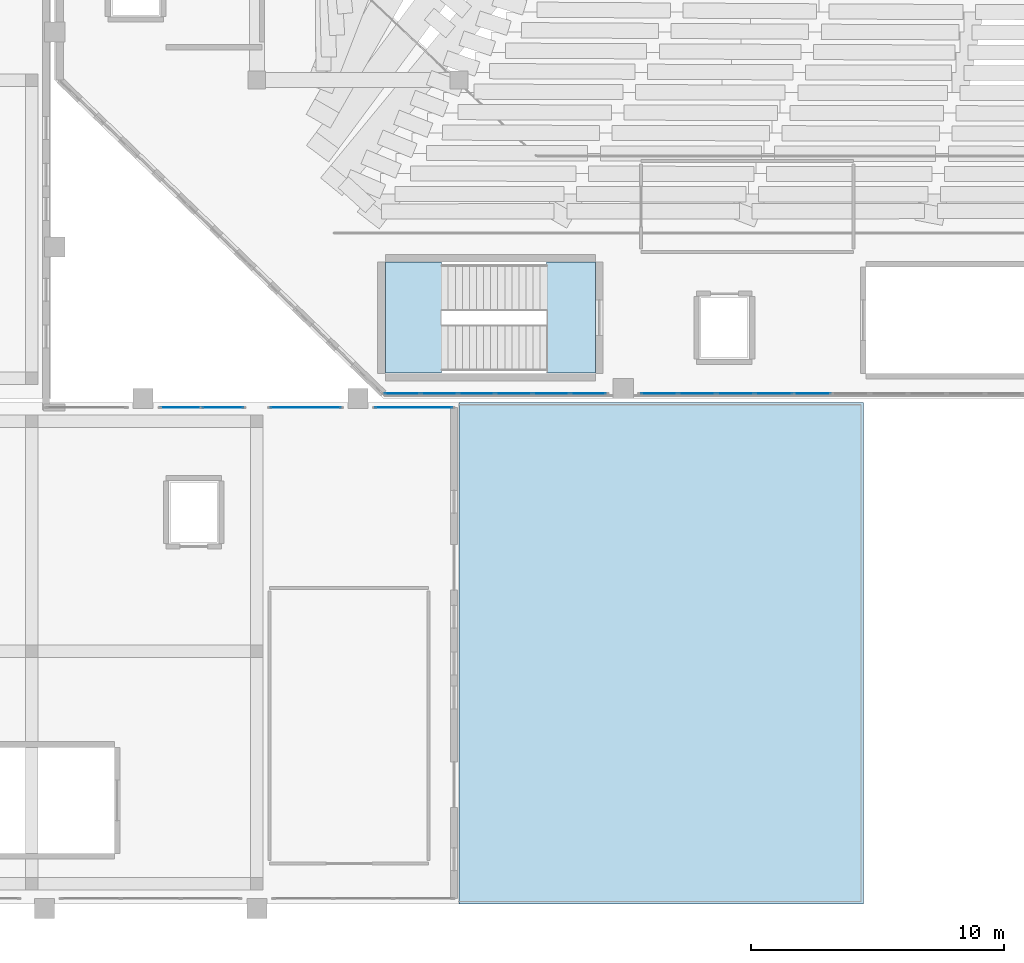
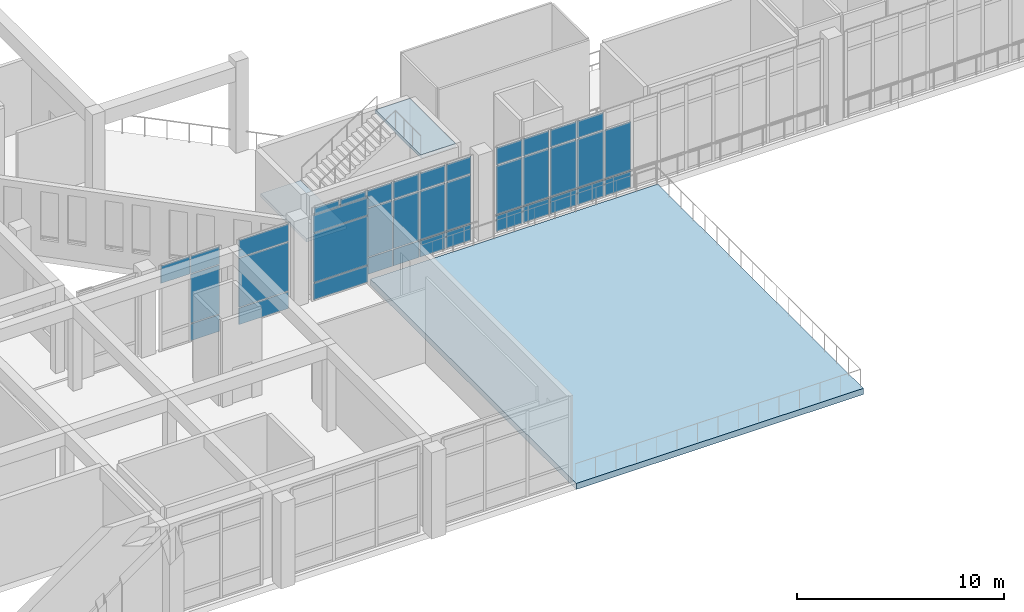
# One storey, part 31 of 55: 42 plates, 3 slabs, 6 elements without a shape of their own.
"""IFC4 building model written with IfcOpenShell, lengths in metres."""

from ifc_helpers import new_model, si_unit, derived_unit, direction, frame, origin, origin_2d, place, context, subcontext, project, spatial, polyline, rectangle, outline, extrude, material, layer, layer_set, type_object, element, aggregate, save


model = new_model("IFC4")

# Units and contexts
model_context = context("Model", 3, precision=1e-05, world=origin(), true_north=direction((0.0, 1.0)))
body_context = subcontext(model_context, "Body", "Model", "MODEL_VIEW")
ifc_project = project(units=[si_unit("LENGTHUNIT", "METRE"), si_unit("AREAUNIT", "SQUARE_METRE"), si_unit("VOLUMEUNIT", "CUBIC_METRE"), si_unit("PLANEANGLEUNIT", "RADIAN"), si_unit("MASSUNIT", "GRAM", prefix="KILO"), derived_unit("THERMALTRANSMITTANCEUNIT", [(si_unit("MASSUNIT", "GRAM", prefix="KILO"), 1), (si_unit("TIMEUNIT", "SECOND"), -3), (si_unit("THERMODYNAMICTEMPERATUREUNIT", "KELVIN"), -1)])], contexts=[model_context])

# Site, building, storey
site_placement = place(None, origin())
site = spatial("IfcSite", under=ifc_project, at=site_placement, CompositionType="ELEMENT")
building_placement = place(site_placement, origin())
building = spatial("IfcBuilding", under=site, at=building_placement, Name="Valcora Ridge Arena", CompositionType="ELEMENT")
storey_placement = place(building_placement, frame((0.0, 0.0, 21.0)))
storey = spatial("IfcBuildingStorey", under=building, at=storey_placement, Name="L04", CompositionType="ELEMENT", Elevation=21.0)

# Stair, slabs
ifc_material_1 = material(Name="Concrete C40/50", Category="concrete")
stair_type = type_object("IfcStairType", Name="TY-STAIR-ST01-54", PredefinedType="HALF_TURN_STAIR", material=ifc_material_1)
stair_placement = place(storey_placement, origin())
stair = element("IfcStair", 1, at=stair_placement, inside=storey, type_object=stair_type, Name="ST01-54 STR-CR-0006", PredefinedType="HALF_TURN_STAIR")
ifc_layer_1 = layer(ifc_material_1, 0.199951171875, Name="Concrete C40/50")
ifc_layer_set_1 = layer_set([ifc_layer_1], Name="Concrete C40/50")
slab_type_1 = type_object("IfcSlabType", Name="TY-LAND-ST01-54", PredefinedType="LANDING", material=ifc_layer_set_1)
slab_1_placement = place(storey_placement, frame((0.0, 0.0, 2.5)))
slab_1 = element("IfcSlab", 2, at=slab_1_placement, type_object=slab_type_1, Name="ST01-54 landing 1", PredefinedType="LANDING", context=body_context, shape_type="SweptSolid", body=[
    extrude(outline(polyline([(29.08203125, 21.001953125), (31.31005859375, 21.001953125), (31.31005859375, 25.39794921875), (29.08203125, 25.39794921875), (29.08203125, 21.001953125)])), origin(), (0.0, 0.0, 1.0), 0.199951171875),
])
slab_2_placement = place(storey_placement, frame((0.0, 0.0, 5.199951171875)))
slab_2 = element("IfcSlab", 3, at=slab_2_placement, type_object=slab_type_1, Name="ST01-54 landing 2", PredefinedType="LANDING", context=body_context, shape_type="SweptSolid", body=[
    extrude(outline(polyline([(35.469970703125, 21.001953125), (37.39794921875, 21.001953125), (37.39794921875, 25.39794921875), (35.469970703125, 25.39794921875), (35.469970703125, 21.001953125)])), origin(), (0.0, 0.0, 1.0), 0.199951171875),
])
aggregate(stair, [slab_1, slab_2])

# Curtain wall, plates
ifc_material_2 = material(Name="Anodised dark bronze architectural aluminium 6063-T6", Category="aluminium")
ifc_layer_2 = layer(ifc_material_2, 0.179931640625, Name="Anodised dark bronze architectural aluminium 6063-T6")
ifc_layer_set_2 = layer_set([ifc_layer_2], Name="Anodised dark bronze architectural aluminium 6063-T6")
curtain_wall_type_1 = type_object("IfcCurtainWallType", Name="TY-CURTAINWALL-CW-V1-GOTH-089X51", PredefinedType="NOTDEFINED", material=ifc_layer_set_2)
curtain_wall_1_placement = place(storey_placement, origin())
curtain_wall_1 = element("IfcCurtainWall", 4, at=curtain_wall_1_placement, inside=storey, type_object=curtain_wall_type_1, Name="CW-V1-GOTH-089X51 CW-0153", PredefinedType="NOTDEFINED")
ifc_material_3 = material(Name="Low-iron solar-control double glazing SHGC 0.28", Category="glass")
ifc_layer_3 = layer(ifc_material_3, 0.031982421875, Name="Low-iron solar-control double glazing SHGC 0.28")
ifc_layer_set_3 = layer_set([ifc_layer_3], Name="Low-iron solar-control double glazing SHGC 0.28")
plate_type_1 = type_object("IfcPlateType", Name="TY-PLT-CWP-1387X0960", PredefinedType="CURTAIN_PANEL", material=ifc_layer_set_3)
plate_1_placement = place(storey_placement, frame((29.75341796875, 20.199951171875, 0.06005859375), z_axis=(0.0, 0.0, 1.0), x_axis=(1.0, 0.0, 0.0)))
plate_1 = element("IfcPlate", 5, at=plate_1_placement, type_object=plate_type_1, Name="CW-0153/P00-00", PredefinedType="CURTAIN_PANEL", context=body_context, shape_type="SweptSolid", body=[
    extrude(rectangle(XDim=1.386962890625, YDim=0.031982421875, at=origin_2d()), origin(), (0.0, 0.0, 1.0), 0.9599609375),
])
plate_2_placement = place(storey_placement, frame((37.1064453125, 20.199951171875, 0.06005859375), z_axis=(0.0, 0.0, 1.0), x_axis=(1.0, 0.0, 0.0)))
plate_2 = element("IfcPlate", 6, at=plate_2_placement, type_object=plate_type_1, Name="CW-0153/P05-00", PredefinedType="CURTAIN_PANEL", context=body_context, shape_type="SweptSolid", body=[
    extrude(rectangle(XDim=1.386962890625, YDim=0.031982421875, at=origin_2d()), origin(), (0.0, 0.0, 1.0), 0.9599609375),
])
ifc_layer_4 = layer(ifc_material_3, 0.031982421875, Name="Low-iron solar-control double glazing SHGC 0.28")
ifc_layer_set_4 = layer_set([ifc_layer_4], Name="Low-iron solar-control double glazing SHGC 0.28")
plate_type_2 = type_object("IfcPlateType", Name="TY-PLT-CWP-1387X1010", PredefinedType="CURTAIN_PANEL", material=ifc_layer_set_4)
plate_3_placement = place(storey_placement, frame((29.75341796875, 20.199951171875, 3.990234375), z_axis=(0.0, 0.0, 1.0), x_axis=(1.0, 0.0, 0.0)))
plate_3 = element("IfcPlate", 7, at=plate_3_placement, type_object=plate_type_2, Name="CW-0153/P00-02", PredefinedType="CURTAIN_PANEL", context=body_context, shape_type="SweptSolid", body=[
    extrude(rectangle(XDim=1.386962890625, YDim=0.031982421875, at=origin_2d()), origin(), (0.0, 0.0, 1.0), 1.010009765625),
])
plate_4_placement = place(storey_placement, frame((37.1064453125, 20.199951171875, 3.990234375), z_axis=(0.0, 0.0, 1.0), x_axis=(1.0, 0.0, 0.0)))
plate_4 = element("IfcPlate", 8, at=plate_4_placement, type_object=plate_type_2, Name="CW-0153/P05-02", PredefinedType="CURTAIN_PANEL", context=body_context, shape_type="SweptSolid", body=[
    extrude(rectangle(XDim=1.386962890625, YDim=0.031982421875, at=origin_2d()), origin(), (0.0, 0.0, 1.0), 1.010009765625),
])
ifc_layer_5 = layer(ifc_material_3, 0.031982421875, Name="Low-iron solar-control double glazing SHGC 0.28")
ifc_layer_set_5 = layer_set([ifc_layer_5], Name="Low-iron solar-control double glazing SHGC 0.28")
plate_type_3 = type_object("IfcPlateType", Name="TY-PLT-CWP-1387X2850", PredefinedType="CURTAIN_PANEL", material=ifc_layer_set_5)
plate_5_placement = place(storey_placement, frame((29.75341796875, 20.199951171875, 1.079833984375), z_axis=(0.0, 0.0, 1.0), x_axis=(1.0, 0.0, 0.0)))
plate_5 = element("IfcPlate", 9, at=plate_5_placement, type_object=plate_type_3, Name="CW-0153/P00-01", PredefinedType="CURTAIN_PANEL", context=body_context, shape_type="SweptSolid", body=[
    extrude(rectangle(XDim=1.386962890625, YDim=0.031982421875, at=origin_2d()), origin(), (0.0, 0.0, 1.0), 2.85009765625),
])
plate_6_placement = place(storey_placement, frame((37.1064453125, 20.199951171875, 1.079833984375), z_axis=(0.0, 0.0, 1.0), x_axis=(1.0, 0.0, 0.0)))
plate_6 = element("IfcPlate", 10, at=plate_6_placement, type_object=plate_type_3, Name="CW-0153/P05-01", PredefinedType="CURTAIN_PANEL", context=body_context, shape_type="SweptSolid", body=[
    extrude(rectangle(XDim=1.386962890625, YDim=0.031982421875, at=origin_2d()), origin(), (0.0, 0.0, 1.0), 2.85009765625),
])
ifc_layer_6 = layer(ifc_material_3, 0.031982421875, Name="Low-iron solar-control double glazing SHGC 0.28")
ifc_layer_set_6 = layer_set([ifc_layer_6], Name="Low-iron solar-control double glazing SHGC 0.28")
plate_type_4 = type_object("IfcPlateType", Name="TY-PLT-CWP-1416X0960", PredefinedType="CURTAIN_PANEL", material=ifc_layer_set_6)
plate_7_placement = place(storey_placement, frame((31.215087890625, 20.199951171875, 0.06005859375), z_axis=(0.0, 0.0, 1.0), x_axis=(1.0, 0.0, 0.0)))
plate_7 = element("IfcPlate", 11, at=plate_7_placement, type_object=plate_type_4, Name="CW-0153/P01-00", PredefinedType="CURTAIN_PANEL", context=body_context, shape_type="SweptSolid", body=[
    extrude(rectangle(XDim=1.416015625, YDim=0.031982421875, at=origin_2d()), origin(), (0.0, 0.0, 1.0), 0.9599609375),
])
plate_8_placement = place(storey_placement, frame((35.64501953125, 20.199951171875, 0.06005859375), z_axis=(0.0, 0.0, 1.0), x_axis=(1.0, 0.0, 0.0)))
plate_8 = element("IfcPlate", 12, at=plate_8_placement, type_object=plate_type_4, Name="CW-0153/P04-00", PredefinedType="CURTAIN_PANEL", context=body_context, shape_type="SweptSolid", body=[
    extrude(rectangle(XDim=1.416015625, YDim=0.031982421875, at=origin_2d()), origin(), (0.0, 0.0, 1.0), 0.9599609375),
])
ifc_layer_7 = layer(ifc_material_3, 0.031982421875, Name="Low-iron solar-control double glazing SHGC 0.28")
ifc_layer_set_7 = layer_set([ifc_layer_7], Name="Low-iron solar-control double glazing SHGC 0.28")
plate_type_5 = type_object("IfcPlateType", Name="TY-PLT-CWP-1416X1010", PredefinedType="CURTAIN_PANEL", material=ifc_layer_set_7)
plate_9_placement = place(storey_placement, frame((31.215087890625, 20.199951171875, 3.990234375), z_axis=(0.0, 0.0, 1.0), x_axis=(1.0, 0.0, 0.0)))
plate_9 = element("IfcPlate", 13, at=plate_9_placement, type_object=plate_type_5, Name="CW-0153/P01-02", PredefinedType="CURTAIN_PANEL", context=body_context, shape_type="SweptSolid", body=[
    extrude(rectangle(XDim=1.416015625, YDim=0.031982421875, at=origin_2d()), origin(), (0.0, 0.0, 1.0), 1.010009765625),
])
plate_10_placement = place(storey_placement, frame((35.64501953125, 20.199951171875, 3.990234375), z_axis=(0.0, 0.0, 1.0), x_axis=(1.0, 0.0, 0.0)))
plate_10 = element("IfcPlate", 14, at=plate_10_placement, type_object=plate_type_5, Name="CW-0153/P04-02", PredefinedType="CURTAIN_PANEL", context=body_context, shape_type="SweptSolid", body=[
    extrude(rectangle(XDim=1.416015625, YDim=0.031982421875, at=origin_2d()), origin(), (0.0, 0.0, 1.0), 1.010009765625),
])
ifc_layer_8 = layer(ifc_material_3, 0.031982421875, Name="Low-iron solar-control double glazing SHGC 0.28")
ifc_layer_set_8 = layer_set([ifc_layer_8], Name="Low-iron solar-control double glazing SHGC 0.28")
plate_type_6 = type_object("IfcPlateType", Name="TY-PLT-CWP-1416X2850", PredefinedType="CURTAIN_PANEL", material=ifc_layer_set_8)
plate_11_placement = place(storey_placement, frame((31.215087890625, 20.199951171875, 1.079833984375), z_axis=(0.0, 0.0, 1.0), x_axis=(1.0, 0.0, 0.0)))
plate_11 = element("IfcPlate", 15, at=plate_11_placement, type_object=plate_type_6, Name="CW-0153/P01-01", PredefinedType="CURTAIN_PANEL", context=body_context, shape_type="SweptSolid", body=[
    extrude(rectangle(XDim=1.416015625, YDim=0.031982421875, at=origin_2d()), origin(), (0.0, 0.0, 1.0), 2.85009765625),
])
plate_12_placement = place(storey_placement, frame((35.64501953125, 20.199951171875, 1.079833984375), z_axis=(0.0, 0.0, 1.0), x_axis=(1.0, 0.0, 0.0)))
plate_12 = element("IfcPlate", 16, at=plate_12_placement, type_object=plate_type_6, Name="CW-0153/P04-01", PredefinedType="CURTAIN_PANEL", context=body_context, shape_type="SweptSolid", body=[
    extrude(rectangle(XDim=1.416015625, YDim=0.031982421875, at=origin_2d()), origin(), (0.0, 0.0, 1.0), 2.85009765625),
])
ifc_layer_9 = layer(ifc_material_3, 0.031982421875, Name="Low-iron solar-control double glazing SHGC 0.28")
ifc_layer_set_9 = layer_set([ifc_layer_9], Name="Low-iron solar-control double glazing SHGC 0.28")
plate_type_7 = type_object("IfcPlateType", Name="TY-PLT-CWP-1417X0960", PredefinedType="CURTAIN_PANEL", material=ifc_layer_set_9)
plate_13_placement = place(storey_placement, frame((32.69140625, 20.199951171875, 0.06005859375), z_axis=(0.0, 0.0, 1.0), x_axis=(1.0, 0.0, 0.0)))
plate_13 = element("IfcPlate", 17, at=plate_13_placement, type_object=plate_type_7, Name="CW-0153/P02-00", PredefinedType="CURTAIN_PANEL", context=body_context, shape_type="SweptSolid", body=[
    extrude(rectangle(XDim=1.4169921875, YDim=0.031982421875, at=origin_2d()), origin(), (0.0, 0.0, 1.0), 0.9599609375),
])
plate_14_placement = place(storey_placement, frame((34.16845703125, 20.199951171875, 0.06005859375), z_axis=(0.0, 0.0, 1.0), x_axis=(1.0, 0.0, 0.0)))
plate_14 = element("IfcPlate", 18, at=plate_14_placement, type_object=plate_type_7, Name="CW-0153/P03-00", PredefinedType="CURTAIN_PANEL", context=body_context, shape_type="SweptSolid", body=[
    extrude(rectangle(XDim=1.4169921875, YDim=0.031982421875, at=origin_2d()), origin(), (0.0, 0.0, 1.0), 0.9599609375),
])
ifc_layer_10 = layer(ifc_material_3, 0.031982421875, Name="Low-iron solar-control double glazing SHGC 0.28")
ifc_layer_set_10 = layer_set([ifc_layer_10], Name="Low-iron solar-control double glazing SHGC 0.28")
plate_type_8 = type_object("IfcPlateType", Name="TY-PLT-CWP-1417X1010", PredefinedType="CURTAIN_PANEL", material=ifc_layer_set_10)
plate_15_placement = place(storey_placement, frame((32.69140625, 20.199951171875, 3.990234375), z_axis=(0.0, 0.0, 1.0), x_axis=(1.0, 0.0, 0.0)))
plate_15 = element("IfcPlate", 19, at=plate_15_placement, type_object=plate_type_8, Name="CW-0153/P02-02", PredefinedType="CURTAIN_PANEL", context=body_context, shape_type="SweptSolid", body=[
    extrude(rectangle(XDim=1.4169921875, YDim=0.031982421875, at=origin_2d()), origin(), (0.0, 0.0, 1.0), 1.010009765625),
])
plate_16_placement = place(storey_placement, frame((34.16845703125, 20.199951171875, 3.990234375), z_axis=(0.0, 0.0, 1.0), x_axis=(1.0, 0.0, 0.0)))
plate_16 = element("IfcPlate", 20, at=plate_16_placement, type_object=plate_type_8, Name="CW-0153/P03-02", PredefinedType="CURTAIN_PANEL", context=body_context, shape_type="SweptSolid", body=[
    extrude(rectangle(XDim=1.4169921875, YDim=0.031982421875, at=origin_2d()), origin(), (0.0, 0.0, 1.0), 1.010009765625),
])
ifc_layer_11 = layer(ifc_material_3, 0.031982421875, Name="Low-iron solar-control double glazing SHGC 0.28")
ifc_layer_set_11 = layer_set([ifc_layer_11], Name="Low-iron solar-control double glazing SHGC 0.28")
plate_type_9 = type_object("IfcPlateType", Name="TY-PLT-CWP-1417X2850", PredefinedType="CURTAIN_PANEL", material=ifc_layer_set_11)
plate_17_placement = place(storey_placement, frame((32.69140625, 20.199951171875, 1.079833984375), z_axis=(0.0, 0.0, 1.0), x_axis=(1.0, 0.0, 0.0)))
plate_17 = element("IfcPlate", 21, at=plate_17_placement, type_object=plate_type_9, Name="CW-0153/P02-01", PredefinedType="CURTAIN_PANEL", context=body_context, shape_type="SweptSolid", body=[
    extrude(rectangle(XDim=1.4169921875, YDim=0.031982421875, at=origin_2d()), origin(), (0.0, 0.0, 1.0), 2.85009765625),
])
plate_18_placement = place(storey_placement, frame((34.16845703125, 20.199951171875, 1.079833984375), z_axis=(0.0, 0.0, 1.0), x_axis=(1.0, 0.0, 0.0)))
plate_18 = element("IfcPlate", 22, at=plate_18_placement, type_object=plate_type_9, Name="CW-0153/P03-01", PredefinedType="CURTAIN_PANEL", context=body_context, shape_type="SweptSolid", body=[
    extrude(rectangle(XDim=1.4169921875, YDim=0.031982421875, at=origin_2d()), origin(), (0.0, 0.0, 1.0), 2.85009765625),
])
aggregate(curtain_wall_1, [plate_1, plate_5, plate_3, plate_7, plate_11, plate_9, plate_13, plate_17, plate_15, plate_14, plate_18, plate_16, plate_8, plate_12, plate_10, plate_2, plate_6, plate_4])

ifc_layer_12 = layer(ifc_material_2, 0.179931640625, Name="Anodised dark bronze architectural aluminium 6063-T6")
ifc_layer_set_12 = layer_set([ifc_layer_12], Name="Anodised dark bronze architectural aluminium 6063-T6")
curtain_wall_type_2 = type_object("IfcCurtainWallType", Name="TY-CURTAINWALL-CW-V1-GOTH-182X51", PredefinedType="NOTDEFINED", material=ifc_layer_set_12)
curtain_wall_2_placement = place(storey_placement, origin())
curtain_wall_2 = element("IfcCurtainWall", 23, at=curtain_wall_2_placement, inside=storey, type_object=curtain_wall_type_2, Name="CW-V1-GOTH-182X51 CW-0154", PredefinedType="NOTDEFINED")
ifc_layer_13 = layer(ifc_material_3, 0.031982421875, Name="Low-iron solar-control double glazing SHGC 0.28")
ifc_layer_set_13 = layer_set([ifc_layer_13], Name="Low-iron solar-control double glazing SHGC 0.28")
plate_type_10 = type_object("IfcPlateType", Name="TY-PLT-CWP-1428X0960", PredefinedType="CURTAIN_PANEL", material=ifc_layer_set_13)
plate_19_placement = place(storey_placement, frame((39.9140625, 20.199951171875, 0.06005859375), z_axis=(0.0, 0.0, 1.0), x_axis=(1.0, 0.0, 0.0)))
plate_19 = element("IfcPlate", 24, at=plate_19_placement, type_object=plate_type_10, Name="CW-0154/P00-00", PredefinedType="CURTAIN_PANEL", context=body_context, shape_type="SweptSolid", body=[
    extrude(rectangle(XDim=1.427978515625, YDim=0.031982421875, at=origin_2d()), origin(), (0.0, 0.0, 1.0), 0.9599609375),
])
ifc_layer_14 = layer(ifc_material_3, 0.031982421875, Name="Low-iron solar-control double glazing SHGC 0.28")
ifc_layer_set_14 = layer_set([ifc_layer_14], Name="Low-iron solar-control double glazing SHGC 0.28")
plate_type_11 = type_object("IfcPlateType", Name="TY-PLT-CWP-1428X1010", PredefinedType="CURTAIN_PANEL", material=ifc_layer_set_14)
plate_20_placement = place(storey_placement, frame((39.9140625, 20.199951171875, 3.990234375), z_axis=(0.0, 0.0, 1.0), x_axis=(1.0, 0.0, 0.0)))
plate_20 = element("IfcPlate", 25, at=plate_20_placement, type_object=plate_type_11, Name="CW-0154/P00-02", PredefinedType="CURTAIN_PANEL", context=body_context, shape_type="SweptSolid", body=[
    extrude(rectangle(XDim=1.427978515625, YDim=0.031982421875, at=origin_2d()), origin(), (0.0, 0.0, 1.0), 1.010009765625),
])
ifc_layer_15 = layer(ifc_material_3, 0.031982421875, Name="Low-iron solar-control double glazing SHGC 0.28")
ifc_layer_set_15 = layer_set([ifc_layer_15], Name="Low-iron solar-control double glazing SHGC 0.28")
plate_type_12 = type_object("IfcPlateType", Name="TY-PLT-CWP-1428X2850", PredefinedType="CURTAIN_PANEL", material=ifc_layer_set_15)
plate_21_placement = place(storey_placement, frame((39.9140625, 20.199951171875, 1.079833984375), z_axis=(0.0, 0.0, 1.0), x_axis=(1.0, 0.0, 0.0)))
plate_21 = element("IfcPlate", 26, at=plate_21_placement, type_object=plate_type_12, Name="CW-0154/P00-01", PredefinedType="CURTAIN_PANEL", context=body_context, shape_type="SweptSolid", body=[
    extrude(rectangle(XDim=1.427978515625, YDim=0.031982421875, at=origin_2d()), origin(), (0.0, 0.0, 1.0), 2.85009765625),
])
ifc_layer_16 = layer(ifc_material_3, 0.031982421875, Name="Low-iron solar-control double glazing SHGC 0.28")
ifc_layer_set_16 = layer_set([ifc_layer_16], Name="Low-iron solar-control double glazing SHGC 0.28")
plate_type_13 = type_object("IfcPlateType", Name="TY-PLT-CWP-1458X0960", PredefinedType="CURTAIN_PANEL", material=ifc_layer_set_16)
plate_22_placement = place(storey_placement, frame((42.93603515625, 20.199951171875, 0.06005859375), z_axis=(0.0, 0.0, 1.0), x_axis=(1.0, 0.0, 0.0)))
plate_22 = element("IfcPlate", 27, at=plate_22_placement, type_object=plate_type_13, Name="CW-0154/P02-00", PredefinedType="CURTAIN_PANEL", context=body_context, shape_type="SweptSolid", body=[
    extrude(rectangle(XDim=1.4580078125, YDim=0.031982421875, at=origin_2d()), origin(), (0.0, 0.0, 1.0), 0.9599609375),
])
plate_23_placement = place(storey_placement, frame((44.4541015625, 20.199951171875, 0.06005859375), z_axis=(0.0, 0.0, 1.0), x_axis=(1.0, 0.0, 0.0)))
plate_23 = element("IfcPlate", 28, at=plate_23_placement, type_object=plate_type_13, Name="CW-0154/P03-00", PredefinedType="CURTAIN_PANEL", context=body_context, shape_type="SweptSolid", body=[
    extrude(rectangle(XDim=1.4580078125, YDim=0.031982421875, at=origin_2d()), origin(), (0.0, 0.0, 1.0), 0.9599609375),
])
ifc_layer_17 = layer(ifc_material_3, 0.031982421875, Name="Low-iron solar-control double glazing SHGC 0.28")
ifc_layer_set_17 = layer_set([ifc_layer_17], Name="Low-iron solar-control double glazing SHGC 0.28")
plate_type_14 = type_object("IfcPlateType", Name="TY-PLT-CWP-1458X1010", PredefinedType="CURTAIN_PANEL", material=ifc_layer_set_17)
plate_24_placement = place(storey_placement, frame((42.93603515625, 20.199951171875, 3.990234375), z_axis=(0.0, 0.0, 1.0), x_axis=(1.0, 0.0, 0.0)))
plate_24 = element("IfcPlate", 29, at=plate_24_placement, type_object=plate_type_14, Name="CW-0154/P02-02", PredefinedType="CURTAIN_PANEL", context=body_context, shape_type="SweptSolid", body=[
    extrude(rectangle(XDim=1.4580078125, YDim=0.031982421875, at=origin_2d()), origin(), (0.0, 0.0, 1.0), 1.010009765625),
])
plate_25_placement = place(storey_placement, frame((44.4541015625, 20.199951171875, 3.990234375), z_axis=(0.0, 0.0, 1.0), x_axis=(1.0, 0.0, 0.0)))
plate_25 = element("IfcPlate", 30, at=plate_25_placement, type_object=plate_type_14, Name="CW-0154/P03-02", PredefinedType="CURTAIN_PANEL", context=body_context, shape_type="SweptSolid", body=[
    extrude(rectangle(XDim=1.4580078125, YDim=0.031982421875, at=origin_2d()), origin(), (0.0, 0.0, 1.0), 1.010009765625),
])
ifc_layer_18 = layer(ifc_material_3, 0.031982421875, Name="Low-iron solar-control double glazing SHGC 0.28")
ifc_layer_set_18 = layer_set([ifc_layer_18], Name="Low-iron solar-control double glazing SHGC 0.28")
plate_type_15 = type_object("IfcPlateType", Name="TY-PLT-CWP-1458X2850", PredefinedType="CURTAIN_PANEL", material=ifc_layer_set_18)
plate_26_placement = place(storey_placement, frame((42.93603515625, 20.199951171875, 1.079833984375), z_axis=(0.0, 0.0, 1.0), x_axis=(1.0, 0.0, 0.0)))
plate_26 = element("IfcPlate", 31, at=plate_26_placement, type_object=plate_type_15, Name="CW-0154/P02-01", PredefinedType="CURTAIN_PANEL", context=body_context, shape_type="SweptSolid", body=[
    extrude(rectangle(XDim=1.4580078125, YDim=0.031982421875, at=origin_2d()), origin(), (0.0, 0.0, 1.0), 2.85009765625),
])
plate_27_placement = place(storey_placement, frame((44.4541015625, 20.199951171875, 1.079833984375), z_axis=(0.0, 0.0, 1.0), x_axis=(1.0, 0.0, 0.0)))
plate_27 = element("IfcPlate", 32, at=plate_27_placement, type_object=plate_type_15, Name="CW-0154/P03-01", PredefinedType="CURTAIN_PANEL", context=body_context, shape_type="SweptSolid", body=[
    extrude(rectangle(XDim=1.4580078125, YDim=0.031982421875, at=origin_2d()), origin(), (0.0, 0.0, 1.0), 2.85009765625),
])
ifc_layer_19 = layer(ifc_material_3, 0.031982421875, Name="Low-iron solar-control double glazing SHGC 0.28")
ifc_layer_set_19 = layer_set([ifc_layer_19], Name="Low-iron solar-control double glazing SHGC 0.28")
plate_type_16 = type_object("IfcPlateType", Name="TY-PLT-CWP-1459X0960", PredefinedType="CURTAIN_PANEL", material=ifc_layer_set_19)
plate_28_placement = place(storey_placement, frame((41.41748046875, 20.199951171875, 0.06005859375), z_axis=(0.0, 0.0, 1.0), x_axis=(1.0, 0.0, 0.0)))
plate_28 = element("IfcPlate", 33, at=plate_28_placement, type_object=plate_type_16, Name="CW-0154/P01-00", PredefinedType="CURTAIN_PANEL", context=body_context, shape_type="SweptSolid", body=[
    extrude(rectangle(XDim=1.458984375, YDim=0.031982421875, at=origin_2d()), origin(), (0.0, 0.0, 1.0), 0.9599609375),
])
plate_29_placement = place(storey_placement, frame((45.972412109375, 20.199951171875, 0.06005859375), z_axis=(0.0, 0.0, 1.0), x_axis=(1.0, 0.0, 0.0)))
plate_29 = element("IfcPlate", 34, at=plate_29_placement, type_object=plate_type_16, Name="CW-0154/P04-00", PredefinedType="CURTAIN_PANEL", context=body_context, shape_type="SweptSolid", body=[
    extrude(rectangle(XDim=1.458984375, YDim=0.031982421875, at=origin_2d()), origin(), (0.0, 0.0, 1.0), 0.9599609375),
])
ifc_layer_20 = layer(ifc_material_3, 0.031982421875, Name="Low-iron solar-control double glazing SHGC 0.28")
ifc_layer_set_20 = layer_set([ifc_layer_20], Name="Low-iron solar-control double glazing SHGC 0.28")
plate_type_17 = type_object("IfcPlateType", Name="TY-PLT-CWP-1459X1010", PredefinedType="CURTAIN_PANEL", material=ifc_layer_set_20)
plate_30_placement = place(storey_placement, frame((41.41748046875, 20.199951171875, 3.990234375), z_axis=(0.0, 0.0, 1.0), x_axis=(1.0, 0.0, 0.0)))
plate_30 = element("IfcPlate", 35, at=plate_30_placement, type_object=plate_type_17, Name="CW-0154/P01-02", PredefinedType="CURTAIN_PANEL", context=body_context, shape_type="SweptSolid", body=[
    extrude(rectangle(XDim=1.458984375, YDim=0.031982421875, at=origin_2d()), origin(), (0.0, 0.0, 1.0), 1.010009765625),
])
ifc_layer_21 = layer(ifc_material_3, 0.031982421875, Name="Low-iron solar-control double glazing SHGC 0.28")
ifc_layer_set_21 = layer_set([ifc_layer_21], Name="Low-iron solar-control double glazing SHGC 0.28")
plate_type_18 = type_object("IfcPlateType", Name="TY-PLT-CWP-1459X2850", PredefinedType="CURTAIN_PANEL", material=ifc_layer_set_21)
plate_31_placement = place(storey_placement, frame((41.41748046875, 20.199951171875, 1.079833984375), z_axis=(0.0, 0.0, 1.0), x_axis=(1.0, 0.0, 0.0)))
plate_31 = element("IfcPlate", 36, at=plate_31_placement, type_object=plate_type_18, Name="CW-0154/P01-01", PredefinedType="CURTAIN_PANEL", context=body_context, shape_type="SweptSolid", body=[
    extrude(rectangle(XDim=1.458984375, YDim=0.031982421875, at=origin_2d()), origin(), (0.0, 0.0, 1.0), 2.85009765625),
])
plate_32_placement = place(storey_placement, frame((45.972412109375, 20.199951171875, 1.079833984375), z_axis=(0.0, 0.0, 1.0), x_axis=(1.0, 0.0, 0.0)))
plate_32 = element("IfcPlate", 37, at=plate_32_placement, type_object=plate_type_18, Name="CW-0154/P04-01", PredefinedType="CURTAIN_PANEL", context=body_context, shape_type="SweptSolid", body=[
    extrude(rectangle(XDim=1.458984375, YDim=0.031982421875, at=origin_2d()), origin(), (0.0, 0.0, 1.0), 2.85009765625),
])
aggregate(curtain_wall_2, [plate_19, plate_21, plate_20, plate_28, plate_31, plate_30, plate_22, plate_26, plate_24, plate_23, plate_27, plate_25, plate_29, plate_32])

ifc_layer_22 = layer(ifc_material_2, 0.14990234375, Name="Anodised dark bronze architectural aluminium 6063-T6")
ifc_layer_set_22 = layer_set([ifc_layer_22], Name="Anodised dark bronze architectural aluminium 6063-T6")
curtain_wall_type_3 = type_object("IfcCurtainWallType", Name="TY-CURTAINWALL-CW-V4-CLUB-034X51", PredefinedType="NOTDEFINED", material=ifc_layer_set_22)
curtain_wall_3_placement = place(storey_placement, origin())
curtain_wall_3 = element("IfcCurtainWall", 38, at=curtain_wall_3_placement, inside=storey, type_object=curtain_wall_type_3, Name="CW-V4-CLUB-034X51 CW-0301", PredefinedType="NOTDEFINED")
ifc_layer_23 = layer(ifc_material_3, 0.028076171875, Name="Low-iron solar-control double glazing SHGC 0.28")
ifc_layer_set_23 = layer_set([ifc_layer_23], Name="Low-iron solar-control double glazing SHGC 0.28")
plate_type_19 = type_object("IfcPlateType", Name="TY-PLT-CWP-1610X0975", PredefinedType="CURTAIN_PANEL", material=ifc_layer_set_23)
plate_33_placement = place(storey_placement, frame((22.655029296875, 19.64990234375, 0.050048828125), z_axis=(0.0, 0.0, 1.0), x_axis=(1.0, 0.0, 0.0)))
plate_33 = element("IfcPlate", 39, at=plate_33_placement, type_object=plate_type_19, Name="CW-0301/P01-00", PredefinedType="CURTAIN_PANEL", context=body_context, shape_type="SweptSolid", body=[
    extrude(rectangle(XDim=1.610107421875, YDim=0.028076171875, at=origin_2d()), origin(), (0.0, 0.0, 1.0), 0.97509765625),
])
ifc_layer_24 = layer(ifc_material_3, 0.028076171875, Name="Low-iron solar-control double glazing SHGC 0.28")
ifc_layer_set_24 = layer_set([ifc_layer_24], Name="Low-iron solar-control double glazing SHGC 0.28")
plate_type_20 = type_object("IfcPlateType", Name="TY-PLT-CWP-1610X1025", PredefinedType="CURTAIN_PANEL", material=ifc_layer_set_24)
plate_34_placement = place(storey_placement, frame((20.9951171875, 19.64990234375, 4.005126953125), z_axis=(0.0, 0.0, 1.0), x_axis=(1.0, 0.0, 0.0)))
plate_34 = element("IfcPlate", 40, at=plate_34_placement, type_object=plate_type_20, Name="CW-0301/P00-02", PredefinedType="CURTAIN_PANEL", context=body_context, shape_type="SweptSolid", body=[
    extrude(rectangle(XDim=1.610107421875, YDim=0.028076171875, at=origin_2d()), origin(), (0.0, 0.0, 1.0), 1.02490234375),
])
plate_35_placement = place(storey_placement, frame((22.655029296875, 19.64990234375, 4.005126953125), z_axis=(0.0, 0.0, 1.0), x_axis=(1.0, 0.0, 0.0)))
plate_35 = element("IfcPlate", 41, at=plate_35_placement, type_object=plate_type_20, Name="CW-0301/P01-02", PredefinedType="CURTAIN_PANEL", context=body_context, shape_type="SweptSolid", body=[
    extrude(rectangle(XDim=1.610107421875, YDim=0.028076171875, at=origin_2d()), origin(), (0.0, 0.0, 1.0), 1.02490234375),
])
ifc_layer_25 = layer(ifc_material_3, 0.028076171875, Name="Low-iron solar-control double glazing SHGC 0.28")
ifc_layer_set_25 = layer_set([ifc_layer_25], Name="Low-iron solar-control double glazing SHGC 0.28")
plate_type_21 = type_object("IfcPlateType", Name="TY-PLT-CWP-1610X2880", PredefinedType="CURTAIN_PANEL", material=ifc_layer_set_25)
plate_36_placement = place(storey_placement, frame((22.655029296875, 19.64990234375, 1.074951171875), z_axis=(0.0, 0.0, 1.0), x_axis=(1.0, 0.0, 0.0)))
plate_36 = element("IfcPlate", 42, at=plate_36_placement, type_object=plate_type_21, Name="CW-0301/P01-01", PredefinedType="CURTAIN_PANEL", context=body_context, shape_type="SweptSolid", body=[
    extrude(rectangle(XDim=1.610107421875, YDim=0.028076171875, at=origin_2d()), origin(), (0.0, 0.0, 1.0), 2.8798828125),
])
aggregate(curtain_wall_3, [plate_34, plate_33, plate_36, plate_35])

ifc_layer_26 = layer(ifc_material_2, 0.14990234375, Name="Anodised dark bronze architectural aluminium 6063-T6")
ifc_layer_set_26 = layer_set([ifc_layer_26], Name="Anodised dark bronze architectural aluminium 6063-T6")
curtain_wall_type_4 = type_object("IfcCurtainWallType", Name="TY-CURTAINWALL-CW-V4-CLUB-029X51", PredefinedType="NOTDEFINED", material=ifc_layer_set_26)
curtain_wall_4_placement = place(storey_placement, origin())
curtain_wall_4 = element("IfcCurtainWall", 43, at=curtain_wall_4_placement, inside=storey, type_object=curtain_wall_type_4, Name="CW-V4-CLUB-029X51 CW-0302", PredefinedType="NOTDEFINED")
ifc_layer_27 = layer(ifc_material_3, 0.028076171875, Name="Low-iron solar-control double glazing SHGC 0.28")
ifc_layer_set_27 = layer_set([ifc_layer_27], Name="Low-iron solar-control double glazing SHGC 0.28")
plate_type_22 = type_object("IfcPlateType", Name="TY-PLT-CWP-2770X0975", PredefinedType="CURTAIN_PANEL", material=ifc_layer_set_27)
plate_37_placement = place(storey_placement, frame((25.925048828125, 19.64990234375, 0.050048828125), z_axis=(0.0, 0.0, 1.0), x_axis=(1.0, 0.0, 0.0)))
plate_37 = element("IfcPlate", 44, at=plate_37_placement, type_object=plate_type_22, Name="CW-0302/P00-00", PredefinedType="CURTAIN_PANEL", context=body_context, shape_type="SweptSolid", body=[
    extrude(rectangle(XDim=2.77001953125, YDim=0.028076171875, at=origin_2d()), origin(), (0.0, 0.0, 1.0), 0.97509765625),
])
ifc_layer_28 = layer(ifc_material_3, 0.028076171875, Name="Low-iron solar-control double glazing SHGC 0.28")
ifc_layer_set_28 = layer_set([ifc_layer_28], Name="Low-iron solar-control double glazing SHGC 0.28")
plate_type_23 = type_object("IfcPlateType", Name="TY-PLT-CWP-2770X1025", PredefinedType="CURTAIN_PANEL", material=ifc_layer_set_28)
plate_38_placement = place(storey_placement, frame((25.925048828125, 19.64990234375, 4.005126953125), z_axis=(0.0, 0.0, 1.0), x_axis=(1.0, 0.0, 0.0)))
plate_38 = element("IfcPlate", 45, at=plate_38_placement, type_object=plate_type_23, Name="CW-0302/P00-02", PredefinedType="CURTAIN_PANEL", context=body_context, shape_type="SweptSolid", body=[
    extrude(rectangle(XDim=2.77001953125, YDim=0.028076171875, at=origin_2d()), origin(), (0.0, 0.0, 1.0), 1.02490234375),
])
ifc_layer_29 = layer(ifc_material_3, 0.028076171875, Name="Low-iron solar-control double glazing SHGC 0.28")
ifc_layer_set_29 = layer_set([ifc_layer_29], Name="Low-iron solar-control double glazing SHGC 0.28")
plate_type_24 = type_object("IfcPlateType", Name="TY-PLT-CWP-2770X2880", PredefinedType="CURTAIN_PANEL", material=ifc_layer_set_29)
plate_39_placement = place(storey_placement, frame((25.925048828125, 19.64990234375, 1.074951171875), z_axis=(0.0, 0.0, 1.0), x_axis=(1.0, 0.0, 0.0)))
plate_39 = element("IfcPlate", 46, at=plate_39_placement, type_object=plate_type_24, Name="CW-0302/P00-01", PredefinedType="CURTAIN_PANEL", context=body_context, shape_type="SweptSolid", body=[
    extrude(rectangle(XDim=2.77001953125, YDim=0.028076171875, at=origin_2d()), origin(), (0.0, 0.0, 1.0), 2.8798828125),
])
aggregate(curtain_wall_4, [plate_37, plate_39, plate_38])

ifc_layer_30 = layer(ifc_material_2, 0.14990234375, Name="Anodised dark bronze architectural aluminium 6063-T6")
ifc_layer_set_30 = layer_set([ifc_layer_30], Name="Anodised dark bronze architectural aluminium 6063-T6")
curtain_wall_type_5 = type_object("IfcCurtainWallType", Name="TY-CURTAINWALL-CW-V4-CLUB-031X51", PredefinedType="NOTDEFINED", material=ifc_layer_set_30)
curtain_wall_5_placement = place(storey_placement, origin())
curtain_wall_5 = element("IfcCurtainWall", 47, at=curtain_wall_5_placement, inside=storey, type_object=curtain_wall_type_5, Name="CW-V4-CLUB-031X51 CW-0303", PredefinedType="NOTDEFINED")
ifc_layer_31 = layer(ifc_material_3, 0.028076171875, Name="Low-iron solar-control double glazing SHGC 0.28")
ifc_layer_set_31 = layer_set([ifc_layer_31], Name="Low-iron solar-control double glazing SHGC 0.28")
plate_type_25 = type_object("IfcPlateType", Name="TY-PLT-CWP-3040X0975", PredefinedType="CURTAIN_PANEL", material=ifc_layer_set_31)
plate_40_placement = place(storey_placement, frame((30.2099609375, 19.64990234375, 0.050048828125), z_axis=(0.0, 0.0, 1.0), x_axis=(1.0, 0.0, 0.0)))
plate_40 = element("IfcPlate", 48, at=plate_40_placement, type_object=plate_type_25, Name="CW-0303/P00-00", PredefinedType="CURTAIN_PANEL", context=body_context, shape_type="SweptSolid", body=[
    extrude(rectangle(XDim=3.0400390625, YDim=0.028076171875, at=origin_2d()), origin(), (0.0, 0.0, 1.0), 0.97509765625),
])
ifc_layer_32 = layer(ifc_material_3, 0.028076171875, Name="Low-iron solar-control double glazing SHGC 0.28")
ifc_layer_set_32 = layer_set([ifc_layer_32], Name="Low-iron solar-control double glazing SHGC 0.28")
plate_type_26 = type_object("IfcPlateType", Name="TY-PLT-CWP-3040X1025", PredefinedType="CURTAIN_PANEL", material=ifc_layer_set_32)
plate_41_placement = place(storey_placement, frame((30.2099609375, 19.64990234375, 4.005126953125), z_axis=(0.0, 0.0, 1.0), x_axis=(1.0, 0.0, 0.0)))
plate_41 = element("IfcPlate", 49, at=plate_41_placement, type_object=plate_type_26, Name="CW-0303/P00-02", PredefinedType="CURTAIN_PANEL", context=body_context, shape_type="SweptSolid", body=[
    extrude(rectangle(XDim=3.0400390625, YDim=0.028076171875, at=origin_2d()), origin(), (0.0, 0.0, 1.0), 1.02490234375),
])
ifc_layer_33 = layer(ifc_material_3, 0.028076171875, Name="Low-iron solar-control double glazing SHGC 0.28")
ifc_layer_set_33 = layer_set([ifc_layer_33], Name="Low-iron solar-control double glazing SHGC 0.28")
plate_type_27 = type_object("IfcPlateType", Name="TY-PLT-CWP-3040X2880", PredefinedType="CURTAIN_PANEL", material=ifc_layer_set_33)
plate_42_placement = place(storey_placement, frame((30.2099609375, 19.64990234375, 1.074951171875), z_axis=(0.0, 0.0, 1.0), x_axis=(1.0, 0.0, 0.0)))
plate_42 = element("IfcPlate", 50, at=plate_42_placement, type_object=plate_type_27, Name="CW-0303/P00-01", PredefinedType="CURTAIN_PANEL", context=body_context, shape_type="SweptSolid", body=[
    extrude(rectangle(XDim=3.0400390625, YDim=0.028076171875, at=origin_2d()), origin(), (0.0, 0.0, 1.0), 2.8798828125),
])
aggregate(curtain_wall_5, [plate_40, plate_42, plate_41])

# Slab
ifc_layer_34 = layer(ifc_material_1, 0.360107421875, Name="Concrete C40/50")
ifc_layer_set_34 = layer_set([ifc_layer_34], Name="Concrete C40/50")
slab_type_2 = type_object("IfcSlabType", Name="TY-SLAB-SL-TERR-L04-P1", PredefinedType="FLOOR", material=ifc_layer_set_34)
slab_3_placement = place(storey_placement, frame((0.0, 0.0, -0.360107421875)))
element("IfcSlab", 51, at=slab_3_placement, inside=storey, type_object=slab_type_2, Name="SL-TERR-L04-P1 SLB-0068", PredefinedType="FLOOR", context=body_context, shape_type="SweptSolid", body=[
    extrude(outline(polyline([(48.0, 19.85009765625), (32.0, 19.85009765625), (32.0, 0.0), (48.0, 0.0), (48.0, 19.85009765625)])), origin(), (0.0, 0.0, 1.0), 0.360107421875),
])

save(model, "model.ifc")
